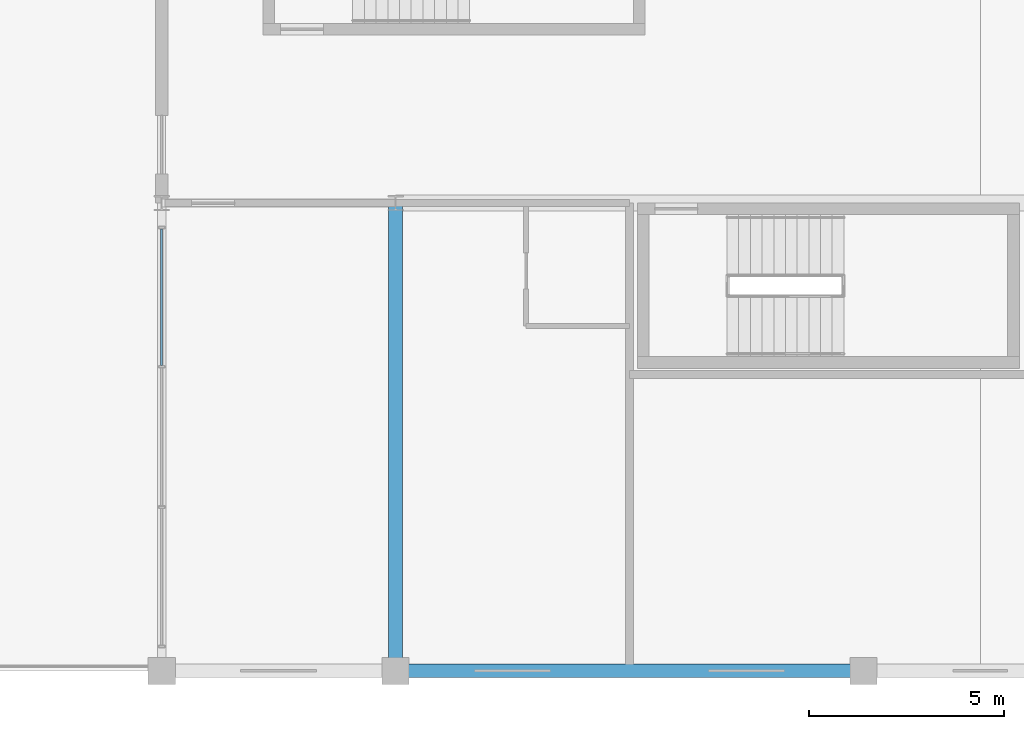
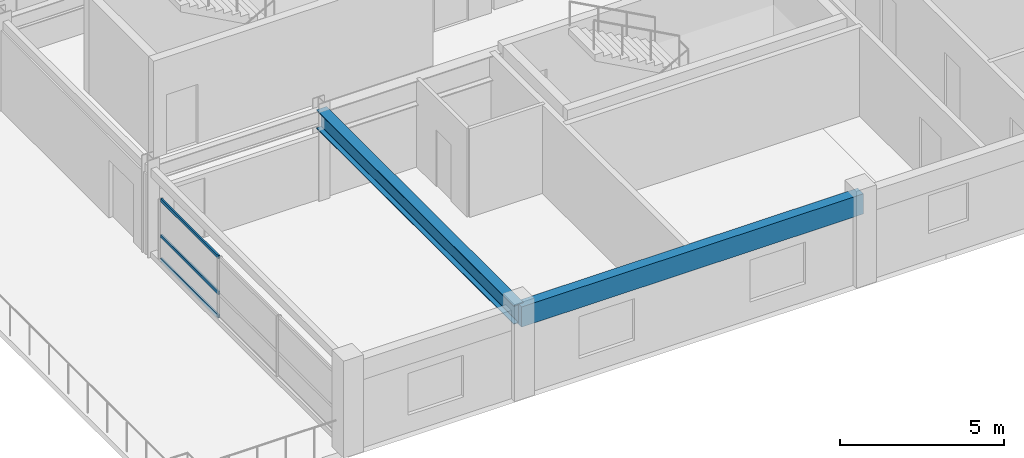
# One storey, part 3 of 24: 3 members, 2 beams, 1 element without a shape of its own.
"""IFC4 building model written with IfcOpenShell, lengths in metres."""

from ifc_helpers import new_model, si_unit, direction, frame, origin, origin_2d, place, context, subcontext, project, spatial, rectangle, hollow_rectangle, i_section, extrude, material, material_profile, profile_set, type_object, element, aggregate, save


model = new_model("IFC4")

# Units and contexts
model_context = context("Model", 3, precision=1e-05, world=origin(), true_north=direction((0.0, 1.0)))
body_context = subcontext(model_context, "Body", "Model", "MODEL_VIEW")
ifc_project = project(units=[si_unit("LENGTHUNIT", "METRE"), si_unit("AREAUNIT", "SQUARE_METRE"), si_unit("VOLUMEUNIT", "CUBIC_METRE"), si_unit("PLANEANGLEUNIT", "RADIAN"), si_unit("MASSUNIT", "GRAM", prefix="KILO")], contexts=[model_context])

# Site, building, storey
site_placement = place(None, origin())
site = spatial("IfcSite", under=ifc_project, at=site_placement, CompositionType="ELEMENT")
building_placement = place(site_placement, origin())
building = spatial("IfcBuilding", under=site, at=building_placement, Name="Kaldorvane Square Convention Centre", CompositionType="ELEMENT")
storey_placement = place(building_placement, frame((0.0, 0.0, 60.0)))
storey = spatial("IfcBuildingStorey", under=building, at=storey_placement, Name="L14", CompositionType="ELEMENT", Elevation=60.0)

# Beams
ifc_material_1 = material(Name="Steel ASTM A992 Gr. 50", Category="steel")
ifc_material_profile_1 = material_profile(ifc_material_1, i_section(OverallWidth=0.354705810546875, OverallDepth=0.69549560546875, WebThickness=0.0153961181640625, FlangeThickness=0.0251007080078125, FilletRadius=0.01519775390625, at=origin_2d()), Name="W27X146")
ifc_profile_set_1 = profile_set([ifc_material_profile_1], Name="Steel ASTM A992 Gr. 50")
beam_type_1 = type_object("IfcBeamType", Name="BM-GR-W27X146", PredefinedType="BEAM", material=ifc_profile_set_1)
beam_1_placement = place(storey_placement, frame((42.0, 84.0, 2.93829345703125), z_axis=(0.0, 1.0, 0.0), x_axis=(-1.0, 0.0, 0.0)))
element("IfcBeam", 1, at=beam_1_placement, inside=storey, type_object=beam_type_1, Name="Transverse Girder (L14)", PredefinedType="BEAM", context=body_context, shape_type="SweptSolid", body=[
    extrude(i_section(OverallWidth=0.354705810546875, OverallDepth=0.69549560546875, WebThickness=0.0153961181640625, FlangeThickness=0.0251007080078125, FilletRadius=0.01519775390625, at=origin_2d()), origin(), (0.0, 0.0, 1.0), 12.0),
])
ifc_material_2 = material(Name="Concrete f'c = 42 MPa (Normalweight)", Category="concrete")
ifc_material_profile_2 = material_profile(ifc_material_2, rectangle(XDim=0.350006103515625, YDim=0.75, at=origin_2d()), Name="RCSP750X350")
ifc_profile_set_2 = profile_set([ifc_material_profile_2], Name="Concrete f'c = 42 MPa (Normalweight)")
beam_type_2 = type_object("IfcBeamType", Name="BM-SP-RC750", PredefinedType="SPANDREL", material=ifc_profile_set_2)
beam_2_placement = place(storey_placement, frame((42.0, 84.0, 2.9109954833984375), z_axis=(1.0, 0.0, 0.0), x_axis=(0.0, 1.0, 0.0)))
element("IfcBeam", 2, at=beam_2_placement, inside=storey, type_object=beam_type_2, Name="Perimeter Spandrel (L14)", PredefinedType="SPANDREL", context=body_context, shape_type="SweptSolid", body=[
    extrude(rectangle(XDim=0.350006103515625, YDim=0.75, at=origin_2d()), origin(), (0.0, 0.0, 1.0), 12.0),
])

# Curtain wall, members
ifc_material_3 = material(Name="Anodized Aluminum and Low-E Insulated Glazing", Category="aluminium")
curtain_wall_type = type_object("IfcCurtainWallType", Name="CW-UNI-HTL-B", PredefinedType="USERDEFINED", material=ifc_material_3)
curtain_wall_placement = place(storey_placement, origin())
curtain_wall = element("IfcCurtainWall", 3, at=curtain_wall_placement, inside=storey, type_object=curtain_wall_type, Name="Curtain Wall CW-11 (L14)", ObjectType="UNITISED GLAZING", PredefinedType="USERDEFINED")
ifc_material_profile_3 = material_profile(ifc_material_3, hollow_rectangle(XDim=0.05499267578125, YDim=0.1199951171875, WallThickness=0.0030059814453125, at=origin_2d()), Name="CWT-120X55")
ifc_profile_set_3 = profile_set([ifc_material_profile_3], Name="Anodized Aluminum and Low-E Insulated Glazing")
member_type = type_object("IfcMemberType", Name="CW-TRN-120", PredefinedType="USERDEFINED", material=ifc_profile_set_3)
member_1_placement = place(storey_placement, frame((36.0, 95.33999633789062, 0.1775054931640625), z_axis=(0.0, -1.0, 0.0), x_axis=(1.0, 0.0, 0.0)))
member_1 = element("IfcMember", 4, at=member_1_placement, type_object=member_type, Name="CW-11 transom 1.1", ObjectType="TRANSOM", PredefinedType="USERDEFINED", context=body_context, shape_type="SweptSolid", body=[
    extrude(hollow_rectangle(XDim=0.05499267578125, YDim=0.1199951171875, WallThickness=0.0030059814453125, at=origin_2d()), origin(), (0.0, 0.0, 1.0), 3.5099945068359375),
])
member_2_placement = place(storey_placement, frame((36.0, 95.33999633789062, 1.0500030517578125), z_axis=(0.0, -1.0, 0.0), x_axis=(1.0, 0.0, 0.0)))
member_2 = element("IfcMember", 5, at=member_2_placement, type_object=member_type, Name="CW-11 transom 1.2", ObjectType="TRANSOM", PredefinedType="USERDEFINED", context=body_context, shape_type="SweptSolid", body=[
    extrude(hollow_rectangle(XDim=0.05499267578125, YDim=0.1199951171875, WallThickness=0.0030059814453125, at=origin_2d()), origin(), (0.0, 0.0, 1.0), 3.5099945068359375),
])
member_3_placement = place(storey_placement, frame((36.0, 95.33999633789062, 2.38250732421875), z_axis=(0.0, -1.0, 0.0), x_axis=(1.0, 0.0, 0.0)))
member_3 = element("IfcMember", 6, at=member_3_placement, type_object=member_type, Name="CW-11 transom 1.3", ObjectType="TRANSOM", PredefinedType="USERDEFINED", context=body_context, shape_type="SweptSolid", body=[
    extrude(hollow_rectangle(XDim=0.05499267578125, YDim=0.1199951171875, WallThickness=0.0030059814453125, at=origin_2d()), origin(), (0.0, 0.0, 1.0), 3.5099945068359375),
])
aggregate(curtain_wall, [member_1, member_2, member_3])

save(model, "model.ifc")
